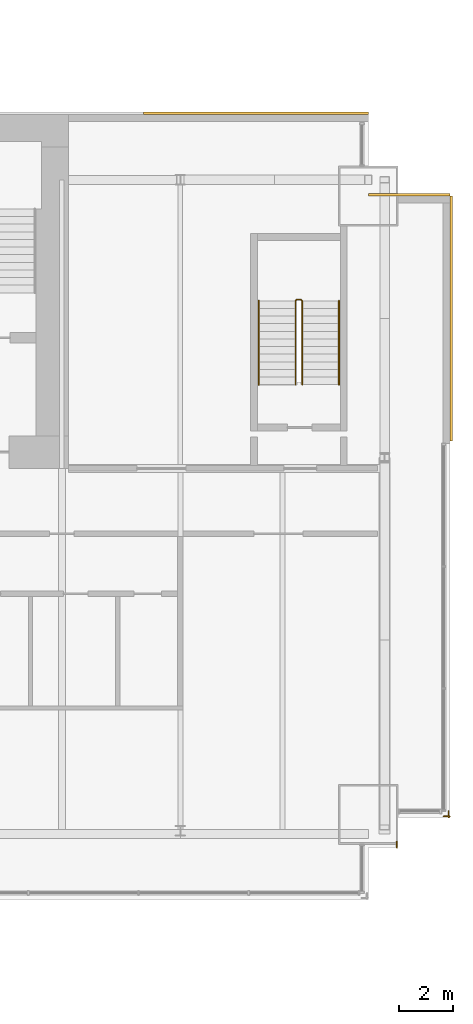
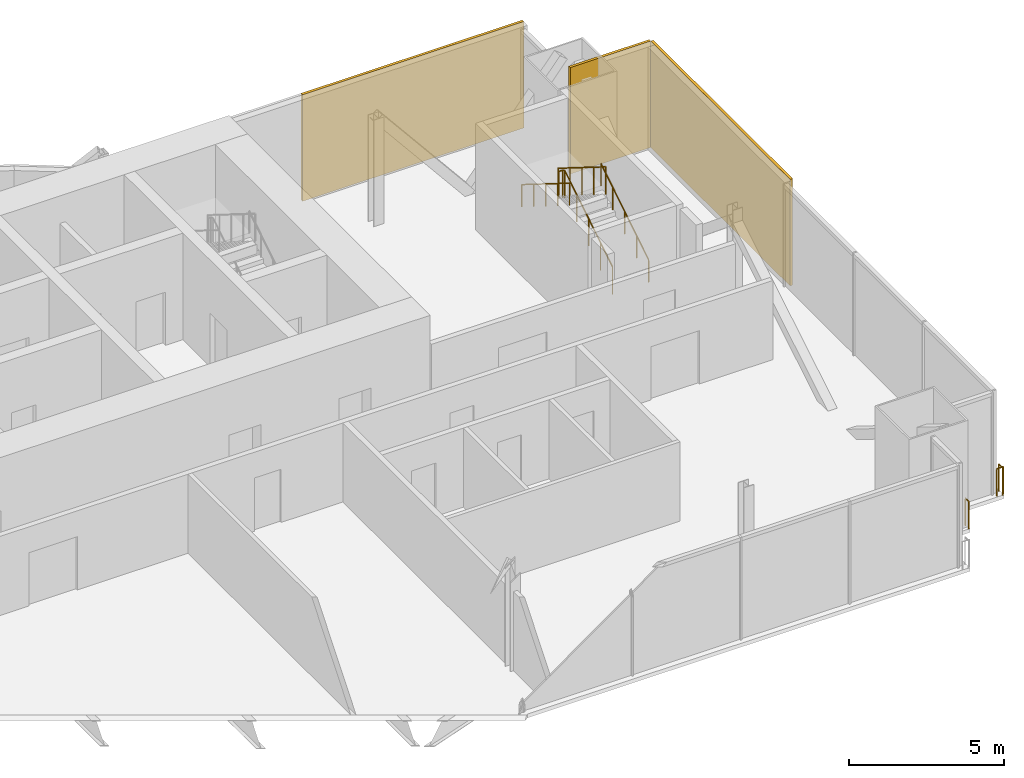
# One storey, part 19 of 19: 5 railings, 3 coverings.
"""IFC4 building model written with IfcOpenShell, lengths in metres."""

from ifc_helpers import new_model, si_unit, direction, frame, origin, origin_2d, place, context, subcontext, project, spatial, rectangle, circle, extrude, material, layer, layer_set, type_object, element, save


model = new_model("IFC4")

# Units and contexts
model_context = context("Model", 3, precision=1e-05, world=origin(), true_north=direction((0.0, 1.0)))
body_context = subcontext(model_context, "Body", "Model", "MODEL_VIEW")
ifc_project = project(units=[si_unit("LENGTHUNIT", "METRE"), si_unit("AREAUNIT", "SQUARE_METRE"), si_unit("VOLUMEUNIT", "CUBIC_METRE"), si_unit("PLANEANGLEUNIT", "RADIAN"), si_unit("MASSUNIT", "GRAM", prefix="KILO")], contexts=[model_context])

# Site, building, storey
site_placement = place(None, origin())
site = spatial("IfcSite", under=ifc_project, at=site_placement, CompositionType="ELEMENT")
building_placement = place(site_placement, origin())
building = spatial("IfcBuilding", under=site, at=building_placement, Name="Bicima Exchange Tower", CompositionType="ELEMENT")
storey_placement = place(building_placement, frame((0.0, 0.0, 266.60009765625)))
storey = spatial("IfcBuildingStorey", under=building, at=storey_placement, Name="L60", CompositionType="ELEMENT", Elevation=266.60009765625)

# Coverings
ifc_material_1 = material(Name="Bronze metal cladding")
ifc_layer_1 = layer(ifc_material_1, 0.004)
ifc_material_2 = material(Name="Ventilated cavity")
ifc_layer_2 = layer(ifc_material_2, 0.06)
ifc_material_3 = material(Name="Galvanised steel rail and mineral wool", Category="steel")
ifc_layer_3 = layer(ifc_material_3, 0.036)
ifc_layer_set = layer_set([ifc_layer_1, ifc_layer_2, ifc_layer_3], Name="Ventilated cavity")
covering_type = type_object("IfcCoveringType", Name="Bronze metal cladding panel 100", PredefinedType="CLADDING", material=ifc_layer_set)
covering_1_placement = place(storey_placement, frame((28.875, 0.050048828125, -0.14990234375), z_axis=(0.0, 0.0, 1.0), x_axis=(-1.0, 0.0, 0.0)))
element("IfcCovering", 1, at=covering_1_placement, inside=storey, type_object=covering_type, Name="Bronze cladding L60 1.1", PredefinedType="CLADDING", context=body_context, shape_type="SweptSolid", body=[
    extrude(rectangle(XDim=8.25, YDim=0.10009765625, at=origin_2d()), origin(), (0.0, 0.0, 1.0), 4.199951171875),
])
covering_2_placement = place(storey_placement, frame((36.050048828125, -7.5, -0.14990234375), z_axis=(0.0, 0.0, 1.0), x_axis=(0.0, 1.0, 0.0)))
element("IfcCovering", 2, at=covering_2_placement, inside=storey, type_object=covering_type, Name="Bronze cladding L60 50.1", PredefinedType="CLADDING", context=body_context, shape_type="SweptSolid", body=[
    extrude(rectangle(XDim=9.0, YDim=0.10009765625, at=origin_2d()), origin(), (0.0, 0.0, 1.0), 4.199951171875),
])
covering_3_placement = place(storey_placement, frame((34.5, -2.949951171875, -0.14990234375), z_axis=(0.0, 0.0, 1.0), x_axis=(-1.0, 0.0, 0.0)))
element("IfcCovering", 3, at=covering_3_placement, inside=storey, type_object=covering_type, Name="Bronze cladding L60 51.1", PredefinedType="CLADDING", context=body_context, shape_type="SweptSolid", body=[
    extrude(rectangle(XDim=3.0, YDim=0.10009765625, at=origin_2d()), origin(), (0.0, 0.0, 1.0), 4.199951171875),
])

# Railings
ifc_material_4 = material(Name="Stainless steel and bonded safety glass", Category="steel")
railing_type_1 = type_object("IfcRailingType", Name="Edge guard 1100", PredefinedType="GUARDRAIL", material=ifc_material_4)
railing_1_placement = place(storey_placement, frame((35.949951171875, -25.575927734375, 0.0)))
element("IfcRailing", 4, at=railing_1_placement, inside=storey, type_object=railing_type_1, Name="Edge guard L60 308", PredefinedType="GUARDRAIL", context=body_context, shape_type="SweptSolid", body=[
    extrude(circle(Radius=0.02392578125, at=origin_2d()), frame((0.0, 0.0, 1.076171875), z_axis=(0.0, -1.0, 0.0), x_axis=(1.0, 0.0, 0.0)), (0.0, 0.0, 1.0), 0.248046875),
    extrude(circle(Radius=0.02392578125, at=origin_2d()), frame((0.0, -0.248046875, 1.076171875), z_axis=(0.707106781187, 0.707106781187, 0.0), x_axis=(-0.707106781187, 0.707106781187, 0.0)), (0.0, 0.0, 1.0), 0.07080078125),
    extrude(circle(Radius=0.02392578125, at=origin_2d()), frame((0.050048828125, -0.197998046875, 1.076171875), z_axis=(-1.0, 0.0, 0.0), x_axis=(0.0, -1.0, 0.0)), (0.0, 0.0, 1.0), 0.237060546875),
    extrude(circle(Radius=0.02099609375, at=origin_2d()), origin(), (0.0, 0.0, 1.0), 1.052001953125),
    extrude(circle(Radius=0.02099609375, at=origin_2d()), frame((0.0, -0.248046875, 0.0)), (0.0, 0.0, 1.0), 1.052001953125),
    extrude(circle(Radius=0.02099609375, at=origin_2d()), frame((0.050048828125, -0.197998046875, 0.0)), (0.0, 0.0, 1.0), 1.052001953125),
    extrude(circle(Radius=0.02099609375, at=origin_2d()), frame((-0.18701171875, -0.197998046875, 0.0)), (0.0, 0.0, 1.0), 1.052001953125),
])
railing_2_placement = place(storey_placement, frame((34.050048828125, -26.7041015625, 0.0)))
element("IfcRailing", 5, at=railing_2_placement, inside=storey, type_object=railing_type_1, Name="Edge guard L60 309", PredefinedType="GUARDRAIL", context=body_context, shape_type="SweptSolid", body=[
    extrude(circle(Radius=0.02392578125, at=origin_2d()), frame((0.0, 0.0, 1.076171875), z_axis=(0.0, -1.0, 0.0), x_axis=(1.0, 0.0, 0.0)), (0.0, 0.0, 1.0), 0.219970703125),
    extrude(circle(Radius=0.02099609375, at=origin_2d()), origin(), (0.0, 0.0, 1.0), 1.052001953125),
    extrude(circle(Radius=0.02099609375, at=origin_2d()), frame((0.0, -0.219970703125, 0.0)), (0.0, 0.0, 1.0), 1.052001953125),
])
ifc_material_5 = material(Name="Stainless steel", Category="steel")
railing_type_2 = type_object("IfcRailingType", Name="Stair guard 1100", PredefinedType="GUARDRAIL", material=ifc_material_5)
railing_3_placement = place(storey_placement, frame((30.574951171875, -9.925048828125, 0.1748046875)))
element("IfcRailing", 6, at=railing_3_placement, inside=storey, type_object=railing_type_2, Name="L60 ST-EE stair guard 1", PredefinedType="GUARDRAIL", context=body_context, shape_type="SweptSolid", body=[
    extrude(circle(Radius=0.02392578125, at=origin_2d()), frame((0.0, 0.0, 1.076171875), z_axis=(0.0, 0.847998304005, 0.529998940003), x_axis=(-1.0, 0.0, 0.0)), (0.0, 0.0, 1.0), 3.632080078125),
    extrude(circle(Radius=0.02392578125, at=origin_2d()), frame((0.0, 3.080078125, 3.0009765625), z_axis=(-0.707106781187, 0.707106781187, 0.0), x_axis=(-0.707106781187, -0.707106781187, 0.0)), (0.0, 0.0, 1.0), 0.07080078125),
    extrude(circle(Radius=0.02392578125, at=origin_2d()), frame((-0.050048828125, 3.130126953125, 3.0009765625), z_axis=(-1.0, 0.0, 0.0), x_axis=(0.0, -1.0, 0.0)), (0.0, 0.0, 1.0), 0.14990234375),
    extrude(circle(Radius=0.02392578125, at=origin_2d()), frame((-0.199951171875, 3.130126953125, 3.0009765625), z_axis=(-0.265065253269, -0.265065253269, 0.927081885822), x_axis=(0.707106781187, -0.707106781187, 0.0)), (0.0, 0.0, 1.0), 0.188720703125),
    extrude(circle(Radius=0.02392578125, at=origin_2d()), frame((-0.25, 3.080078125, 3.17626953125), z_axis=(0.0, -0.847998304005, 0.529998940003), x_axis=(1.0, 0.0, 0.0)), (0.0, 0.0, 1.0), 3.632080078125),
    extrude(circle(Radius=0.02099609375, at=origin_2d()), origin(), (0.0, 0.0, 1.0), 1.052001953125),
    extrude(circle(Radius=0.02099609375, at=origin_2d()), frame((0.0, 0.77001953125, 0.481201171875)), (0.0, 0.0, 1.0), 1.052001953125),
    extrude(circle(Radius=0.02099609375, at=origin_2d()), frame((0.0, 1.5400390625, 0.96240234375)), (0.0, 0.0, 1.0), 1.052001953125),
    extrude(circle(Radius=0.02099609375, at=origin_2d()), frame((0.0, 2.31005859375, 1.44384765625)), (0.0, 0.0, 1.0), 1.052001953125),
    extrude(circle(Radius=0.02099609375, at=origin_2d()), frame((0.0, 3.080078125, 1.925048828125)), (0.0, 0.0, 1.0), 1.052001953125),
    extrude(circle(Radius=0.02099609375, at=origin_2d()), frame((-0.050048828125, 3.130126953125, 1.925048828125)), (0.0, 0.0, 1.0), 1.052001953125),
    extrude(circle(Radius=0.02099609375, at=origin_2d()), frame((-0.199951171875, 3.130126953125, 1.925048828125)), (0.0, 0.0, 1.0), 1.052001953125),
    extrude(circle(Radius=0.02099609375, at=origin_2d()), frame((-0.25, 3.080078125, 2.10009765625)), (0.0, 0.0, 1.0), 1.052001953125),
    extrude(circle(Radius=0.02099609375, at=origin_2d()), frame((-0.25, 2.31005859375, 2.581298828125)), (0.0, 0.0, 1.0), 1.052001953125),
    extrude(circle(Radius=0.02099609375, at=origin_2d()), frame((-0.25, 1.5400390625, 3.0625)), (0.0, 0.0, 1.0), 1.052001953125),
    extrude(circle(Radius=0.02099609375, at=origin_2d()), frame((-0.25, 0.77001953125, 3.5439453125)), (0.0, 0.0, 1.0), 1.052001953125),
    extrude(circle(Radius=0.02099609375, at=origin_2d()), frame((-0.25, 0.0, 4.025146484375)), (0.0, 0.0, 1.0), 1.052001953125),
])
railing_type_3 = type_object("IfcRailingType", Name="Stair handrail 900", PredefinedType="HANDRAIL", material=ifc_material_5)
railing_4_placement = place(storey_placement, frame((31.925048828125, -9.925048828125, 0.1748046875)))
element("IfcRailing", 7, at=railing_4_placement, inside=storey, type_object=railing_type_3, Name="L60 ST-EE stair handrail 1", PredefinedType="HANDRAIL", context=body_context, shape_type="SweptSolid", body=[
    extrude(circle(Radius=0.02392578125, at=origin_2d()), frame((0.0, 0.0, 0.8759765625), z_axis=(0.0, 0.847998304005, 0.529998940003), x_axis=(-1.0, 0.0, 0.0)), (0.0, 0.0, 1.0), 3.632080078125),
    extrude(circle(Radius=0.02099609375, at=origin_2d()), origin(), (0.0, 0.0, 1.0), 0.851806640625),
    extrude(circle(Radius=0.02099609375, at=origin_2d()), frame((0.0, 0.77001953125, 0.481201171875)), (0.0, 0.0, 1.0), 0.851806640625),
    extrude(circle(Radius=0.02099609375, at=origin_2d()), frame((0.0, 1.5400390625, 0.96240234375)), (0.0, 0.0, 1.0), 0.851806640625),
    extrude(circle(Radius=0.02099609375, at=origin_2d()), frame((0.0, 2.31005859375, 1.44384765625)), (0.0, 0.0, 1.0), 0.851806640625),
    extrude(circle(Radius=0.02099609375, at=origin_2d()), frame((0.0, 3.080078125, 1.925048828125)), (0.0, 0.0, 1.0), 0.851806640625),
])
railing_5_placement = place(storey_placement, frame((28.97509765625, -6.844970703125, 2.303955078125)))
element("IfcRailing", 8, at=railing_5_placement, inside=storey, type_object=railing_type_3, Name="L60 ST-EE stair handrail 2", PredefinedType="HANDRAIL", context=body_context, shape_type="SweptSolid", body=[
    extrude(circle(Radius=0.02392578125, at=origin_2d()), frame((0.0, 0.0, 0.8759765625), z_axis=(0.0, -0.847998304005, 0.529998940003), x_axis=(1.0, 0.0, 0.0)), (0.0, 0.0, 1.0), 3.632080078125),
    extrude(circle(Radius=0.02099609375, at=origin_2d()), origin(), (0.0, 0.0, 1.0), 0.851806640625),
    extrude(circle(Radius=0.02099609375, at=origin_2d()), frame((0.0, -0.77001953125, 0.481201171875)), (0.0, 0.0, 1.0), 0.851806640625),
    extrude(circle(Radius=0.02099609375, at=origin_2d()), frame((0.0, -1.5400390625, 0.96240234375)), (0.0, 0.0, 1.0), 0.851806640625),
    extrude(circle(Radius=0.02099609375, at=origin_2d()), frame((0.0, -2.31005859375, 1.44384765625)), (0.0, 0.0, 1.0), 0.851806640625),
    extrude(circle(Radius=0.02099609375, at=origin_2d()), frame((0.0, -3.080078125, 1.925048828125)), (0.0, 0.0, 1.0), 0.851806640625),
])

save(model, "model.ifc")
